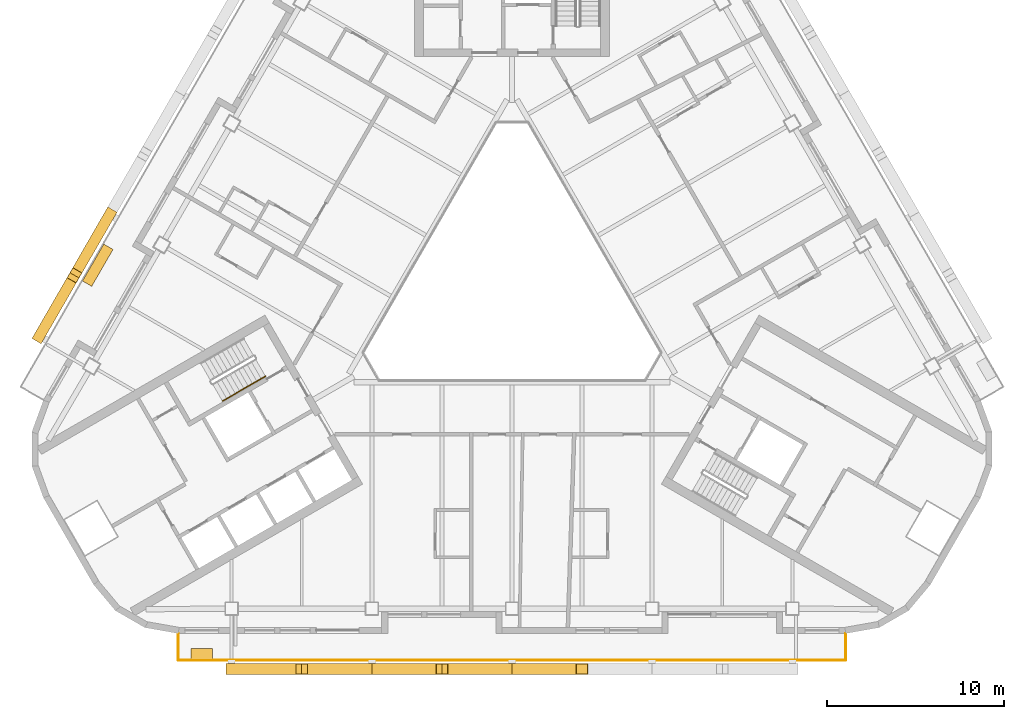
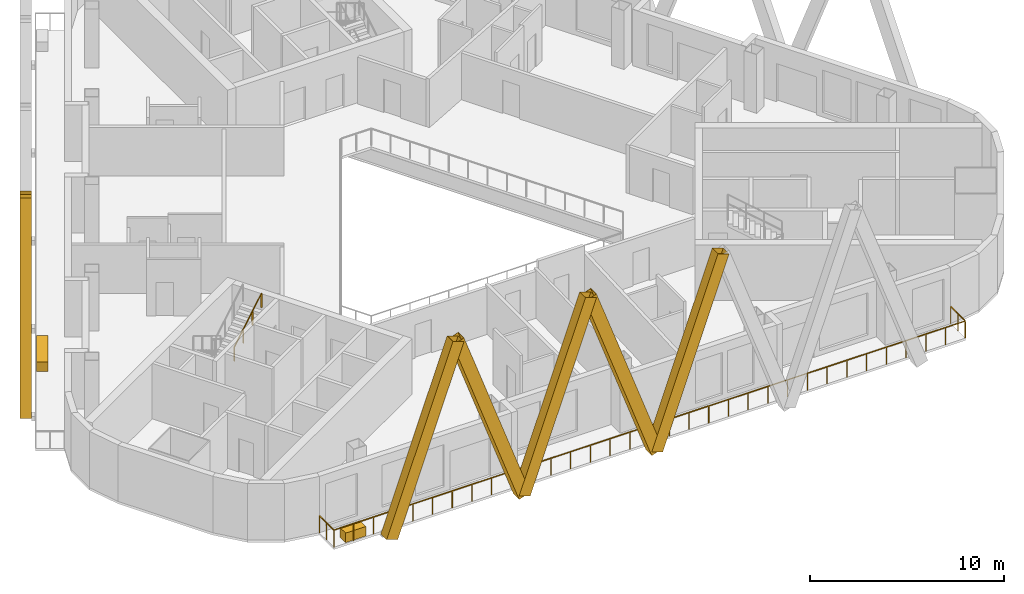
# One storey, part 9 of 14: 7 shading devices, 2 coverings, 2 railings.
"""IFC4 building model written with IfcOpenShell, lengths in metres."""

from ifc_helpers import new_model, si_unit, direction, frame, origin, origin_2d, place, context, subcontext, project, spatial, rectangle, hollow_rectangle, circle, extrude, material, material_profile, profile_set, type_object, element, save


model = new_model("IFC4")

# Units and contexts
model_context = context("Model", 3, precision=1e-05, world=origin(), true_north=direction((0.0, 1.0)))
body_context = subcontext(model_context, "Body", "Model", "MODEL_VIEW")
ifc_project = project(units=[si_unit("LENGTHUNIT", "METRE"), si_unit("AREAUNIT", "SQUARE_METRE"), si_unit("VOLUMEUNIT", "CUBIC_METRE"), si_unit("PLANEANGLEUNIT", "RADIAN"), si_unit("MASSUNIT", "GRAM", prefix="KILO")], contexts=[model_context])

# Site, building, storey
site_placement = place(None, origin())
site = spatial("IfcSite", under=ifc_project, at=site_placement, CompositionType="ELEMENT")
building_placement = place(site_placement, origin())
building = spatial("IfcBuilding", under=site, at=building_placement, Name="Apuvela Tower Hotel", CompositionType="ELEMENT")
storey_placement = place(building_placement, frame((0.0, 0.0, 213.199951171875)))
storey = spatial("IfcBuildingStorey", under=building, at=storey_placement, Name="L52", CompositionType="ELEMENT", Elevation=213.199951171875)

# Railing
ifc_material_1 = material(Name="Stainless steel 316 handrail", Category="steel")
railing_type_1 = type_object("IfcRailingType", Name="COR-HANDRAIL-900", PredefinedType="HANDRAIL", material=ifc_material_1)
railing_1_placement = place(storey_placement, frame((-16.31884765625, -6.534912109375, 2.018310546875)))
element("IfcRailing", 1, at=railing_1_placement, inside=storey, type_object=railing_type_1, Name="L52 ST2 stair handrail 2", PredefinedType="HANDRAIL", context=body_context, shape_type="SweptSolid", body=[
    extrude(circle(Radius=0.02392578125, at=origin_2d()), frame((0.0, 0.0, 0.8759765625), z_axis=(0.74241905619, 0.428617687091, 0.514879426), x_axis=(-0.49998411664, 0.866034573852, 0.0)), (0.0, 0.0, 1.0), 3.26611328125),
    extrude(rectangle(XDim=0.0419921875, YDim=0.0419921875, at=origin_2d()), origin(), (0.0, 0.0, 1.0), 0.851806640625),
    extrude(rectangle(XDim=0.0419921875, YDim=0.0419921875, at=origin_2d()), frame((0.808349609375, 0.466552734375, 0.560546875)), (0.0, 0.0, 1.0), 0.851806640625),
    extrude(rectangle(XDim=0.0419921875, YDim=0.0419921875, at=origin_2d()), frame((1.616455078125, 0.933349609375, 1.12109375)), (0.0, 0.0, 1.0), 0.851806640625),
    extrude(rectangle(XDim=0.0419921875, YDim=0.0419921875, at=origin_2d()), frame((2.4248046875, 1.39990234375, 1.681640625)), (0.0, 0.0, 1.0), 0.851806640625),
])

# Shading devices
ifc_material_2 = material(Name="Aluminium 6063-T6, black anodised", Category="aluminium")
ifc_material_profile = material_profile(ifc_material_2, hollow_rectangle(XDim=0.60009765625, YDim=0.699951171875, WallThickness=0.011962890625, at=origin_2d()), Name="AL BOX 700x600x12")
ifc_profile_set = profile_set([ifc_material_profile], Name="Aluminium 6063-T6, black anodised")
shading_device_type = type_object("IfcShadingDeviceType", Name="ENV-FIN-700x600", PredefinedType="USERDEFINED", material=ifc_profile_set)
for number, where, z_axis, x_axis, name in (
    (2, (-15.800048828125, -21.6298828125, -0.099853515625), (0.335261072241, 0.0, 0.942125264198), (0.0, 1.0, 0.0), "Lattice fin S449"),
    (3, (-7.89990234375, -21.6298828125, -0.099853515625), (-0.335279464888, 0.0, 0.942118718859), (0.0, -1.0, 0.0), "Lattice fin S450"),
    (4, (-7.89990234375, -21.6298828125, -0.099853515625), (0.335261072241, 0.0, 0.942125264198), (0.0, 1.0, 0.0), "Lattice fin S451"),
    (5, (0.0, -21.6298828125, -0.099853515625), (-0.335261072241, 0.0, 0.942125264198), (0.0, -1.0, 0.0), "Lattice fin S452"),
    (6, (0.0, -21.6298828125, -0.099853515625), (0.335261072241, 0.0, 0.942125264198), (0.0, 1.0, 0.0), "Lattice fin S453"),
    (7, (-22.68212890625, 3.973388671875, -0.099853515625), (-0.167619886358, -0.290356020231, 0.94212364115), (0.866047669374, -0.499961432884, 0.0), "Lattice fin NW519"),
    (8, (-26.632080078125, -2.8681640625, -0.099853515625), (0.167641034607, 0.290336036574, 0.942126036888), (-0.866005453737, 0.500034552904, 0.0), "Lattice fin NW520"),
):
    element("IfcShadingDevice", number, at=place(storey_placement, frame(where, z_axis=z_axis, x_axis=x_axis)), inside=storey, type_object=shading_device_type, Name=name, ObjectType="FIN", PredefinedType="USERDEFINED", context=body_context, shape_type="SweptSolid", body=[
        extrude(hollow_rectangle(XDim=0.60009765625, YDim=0.699951171875, WallThickness=0.011962890625, at=origin_2d()), origin(), (0.0, 0.0, 1.0), 11.78173828125),
    ])

# Railing
ifc_material_3 = material(Name="Stainless steel 316 rail with laminated glass infill", Category="steel")
railing_type_2 = type_object("IfcRailingType", Name="ENV-GUARD-1100", PredefinedType="GUARDRAIL", material=ifc_material_3)
railing_2_placement = place(storey_placement, frame((-18.81591796875, -19.6298828125, 0.0)))
element("IfcRailing", 9, at=railing_2_placement, inside=storey, type_object=railing_type_2, Name="Balcony guard S L52", PredefinedType="GUARDRAIL", context=body_context, shape_type="SweptSolid", body=[
    extrude(rectangle(XDim=0.050048828125, YDim=0.050048828125, at=origin_2d()), frame((0.0, 0.0, 1.0751953125), z_axis=(0.0, -1.0, 0.0), x_axis=(1.0, 0.0, 0.0)), (0.0, 0.0, 1.0), 1.5),
    extrude(rectangle(XDim=0.050048828125, YDim=0.050048828125, at=origin_2d()), frame((0.0, -1.5, 1.0751953125), z_axis=(1.0, 0.0, 0.0), x_axis=(0.0, 1.0, 0.0)), (0.0, 0.0, 1.0), 37.6318359375),
    extrude(rectangle(XDim=0.050048828125, YDim=0.050048828125, at=origin_2d()), frame((37.6318359375, -1.5, 1.0751953125), z_axis=(0.0, 1.0, 0.0), x_axis=(-1.0, 0.0, 0.0)), (0.0, 0.0, 1.0), 1.5),
    extrude(rectangle(XDim=0.0400390625, YDim=0.0400390625, at=origin_2d()), origin(), (0.0, 0.0, 1.0), 1.050048828125),
    extrude(rectangle(XDim=0.0400390625, YDim=0.0400390625, at=origin_2d()), frame((0.0, -0.75, 0.0)), (0.0, 0.0, 1.0), 1.050048828125),
    extrude(rectangle(XDim=0.0400390625, YDim=0.0400390625, at=origin_2d()), frame((0.0, -1.5, 0.0)), (0.0, 0.0, 1.0), 1.050048828125),
    extrude(rectangle(XDim=0.0400390625, YDim=0.0400390625, at=origin_2d()), frame((1.176025390625, -1.5, 0.0)), (0.0, 0.0, 1.0), 1.050048828125),
    extrude(rectangle(XDim=0.0400390625, YDim=0.0400390625, at=origin_2d()), frame((2.35205078125, -1.5, 0.0)), (0.0, 0.0, 1.0), 1.050048828125),
    extrude(rectangle(XDim=0.0400390625, YDim=0.0400390625, at=origin_2d()), frame((3.528076171875, -1.5, 0.0)), (0.0, 0.0, 1.0), 1.050048828125),
    extrude(rectangle(XDim=0.0400390625, YDim=0.0400390625, at=origin_2d()), frame((4.7041015625, -1.5, 0.0)), (0.0, 0.0, 1.0), 1.050048828125),
    extrude(rectangle(XDim=0.0400390625, YDim=0.0400390625, at=origin_2d()), frame((5.8798828125, -1.5, 0.0)), (0.0, 0.0, 1.0), 1.050048828125),
    extrude(rectangle(XDim=0.0400390625, YDim=0.0400390625, at=origin_2d()), frame((7.055908203125, -1.5, 0.0)), (0.0, 0.0, 1.0), 1.050048828125),
    extrude(rectangle(XDim=0.0400390625, YDim=0.0400390625, at=origin_2d()), frame((8.23193359375, -1.5, 0.0)), (0.0, 0.0, 1.0), 1.050048828125),
    extrude(rectangle(XDim=0.0400390625, YDim=0.0400390625, at=origin_2d()), frame((9.407958984375, -1.5, 0.0)), (0.0, 0.0, 1.0), 1.050048828125),
    extrude(rectangle(XDim=0.0400390625, YDim=0.0400390625, at=origin_2d()), frame((10.583984375, -1.5, 0.0)), (0.0, 0.0, 1.0), 1.050048828125),
    extrude(rectangle(XDim=0.0400390625, YDim=0.0400390625, at=origin_2d()), frame((11.760009765625, -1.5, 0.0)), (0.0, 0.0, 1.0), 1.050048828125),
    extrude(rectangle(XDim=0.0400390625, YDim=0.0400390625, at=origin_2d()), frame((12.93603515625, -1.5, 0.0)), (0.0, 0.0, 1.0), 1.050048828125),
    extrude(rectangle(XDim=0.0400390625, YDim=0.0400390625, at=origin_2d()), frame((14.11181640625, -1.5, 0.0)), (0.0, 0.0, 1.0), 1.050048828125),
    extrude(rectangle(XDim=0.0400390625, YDim=0.0400390625, at=origin_2d()), frame((15.287841796875, -1.5, 0.0)), (0.0, 0.0, 1.0), 1.050048828125),
    extrude(rectangle(XDim=0.0400390625, YDim=0.0400390625, at=origin_2d()), frame((16.4638671875, -1.5, 0.0)), (0.0, 0.0, 1.0), 1.050048828125),
    extrude(rectangle(XDim=0.0400390625, YDim=0.0400390625, at=origin_2d()), frame((17.639892578125, -1.5, 0.0)), (0.0, 0.0, 1.0), 1.050048828125),
    extrude(rectangle(XDim=0.0400390625, YDim=0.0400390625, at=origin_2d()), frame((18.81591796875, -1.5, 0.0)), (0.0, 0.0, 1.0), 1.050048828125),
    extrude(rectangle(XDim=0.0400390625, YDim=0.0400390625, at=origin_2d()), frame((19.991943359375, -1.5, 0.0)), (0.0, 0.0, 1.0), 1.050048828125),
    extrude(rectangle(XDim=0.0400390625, YDim=0.0400390625, at=origin_2d()), frame((21.16796875, -1.5, 0.0)), (0.0, 0.0, 1.0), 1.050048828125),
    extrude(rectangle(XDim=0.0400390625, YDim=0.0400390625, at=origin_2d()), frame((22.343994140625, -1.5, 0.0)), (0.0, 0.0, 1.0), 1.050048828125),
    extrude(rectangle(XDim=0.0400390625, YDim=0.0400390625, at=origin_2d()), frame((23.52001953125, -1.5, 0.0)), (0.0, 0.0, 1.0), 1.050048828125),
    extrude(rectangle(XDim=0.0400390625, YDim=0.0400390625, at=origin_2d()), frame((24.69580078125, -1.5, 0.0)), (0.0, 0.0, 1.0), 1.050048828125),
    extrude(rectangle(XDim=0.0400390625, YDim=0.0400390625, at=origin_2d()), frame((25.871826171875, -1.5, 0.0)), (0.0, 0.0, 1.0), 1.050048828125),
    extrude(rectangle(XDim=0.0400390625, YDim=0.0400390625, at=origin_2d()), frame((27.0478515625, -1.5, 0.0)), (0.0, 0.0, 1.0), 1.050048828125),
    extrude(rectangle(XDim=0.0400390625, YDim=0.0400390625, at=origin_2d()), frame((28.223876953125, -1.5, 0.0)), (0.0, 0.0, 1.0), 1.050048828125),
    extrude(rectangle(XDim=0.0400390625, YDim=0.0400390625, at=origin_2d()), frame((29.39990234375, -1.5, 0.0)), (0.0, 0.0, 1.0), 1.050048828125),
    extrude(rectangle(XDim=0.0400390625, YDim=0.0400390625, at=origin_2d()), frame((30.575927734375, -1.5, 0.0)), (0.0, 0.0, 1.0), 1.050048828125),
    extrude(rectangle(XDim=0.0400390625, YDim=0.0400390625, at=origin_2d()), frame((31.751953125, -1.5, 0.0)), (0.0, 0.0, 1.0), 1.050048828125),
    extrude(rectangle(XDim=0.0400390625, YDim=0.0400390625, at=origin_2d()), frame((32.927734375, -1.5, 0.0)), (0.0, 0.0, 1.0), 1.050048828125),
    extrude(rectangle(XDim=0.0400390625, YDim=0.0400390625, at=origin_2d()), frame((34.103759765625, -1.5, 0.0)), (0.0, 0.0, 1.0), 1.050048828125),
    extrude(rectangle(XDim=0.0400390625, YDim=0.0400390625, at=origin_2d()), frame((35.27978515625, -1.5, 0.0)), (0.0, 0.0, 1.0), 1.050048828125),
    extrude(rectangle(XDim=0.0400390625, YDim=0.0400390625, at=origin_2d()), frame((36.455810546875, -1.5, 0.0)), (0.0, 0.0, 1.0), 1.050048828125),
    extrude(rectangle(XDim=0.0400390625, YDim=0.0400390625, at=origin_2d()), frame((37.6318359375, -1.5, 0.0)), (0.0, 0.0, 1.0), 1.050048828125),
    extrude(rectangle(XDim=0.0400390625, YDim=0.0400390625, at=origin_2d()), frame((37.6318359375, -0.75, 0.0)), (0.0, 0.0, 1.0), 1.050048828125),
    extrude(rectangle(XDim=0.0400390625, YDim=0.0400390625, at=origin_2d()), frame((37.6318359375, 0.0, 0.0)), (0.0, 0.0, 1.0), 1.050048828125),
])

# Coverings
ifc_material_4 = material(Name="Planting substrate and soil, planted")
covering_type_1 = type_object("IfcCoveringType", Name="ENV-PLANTER-1200x600", PredefinedType="USERDEFINED", material=ifc_material_4)
covering_1_placement = place(storey_placement, frame((-17.485107421875, -20.780029296875, 0.0), z_axis=(0.0, 0.0, 1.0), x_axis=(1.0, 0.0, 0.0)))
element("IfcCovering", 10, at=covering_1_placement, inside=storey, type_object=covering_type_1, Name="Planter S1", ObjectType="PLANTER", PredefinedType="USERDEFINED", context=body_context, shape_type="SweptSolid", body=[
    extrude(rectangle(XDim=1.199951171875, YDim=0.60009765625, at=origin_2d()), origin(), (0.0, 0.0, 1.0), 0.60009765625),
])
covering_type_2 = type_object("IfcCoveringType", Name="ENV-PLANTER-2400x600", PredefinedType="USERDEFINED", material=ifc_material_4)
covering_2_placement = place(storey_placement, frame((-23.345947265625, 1.12353515625, 0.0), z_axis=(0.0, 0.0, 1.0), x_axis=(-0.5, -0.866025403784, 0.0)))
element("IfcCovering", 11, at=covering_2_placement, inside=storey, type_object=covering_type_2, Name="Planter NW5", ObjectType="PLANTER", PredefinedType="USERDEFINED", context=body_context, shape_type="SweptSolid", body=[
    extrude(rectangle(XDim=2.39990234375, YDim=0.60009765625, at=origin_2d()), origin(), (0.0, 0.0, 1.0), 0.60009765625),
])

save(model, "model.ifc")
